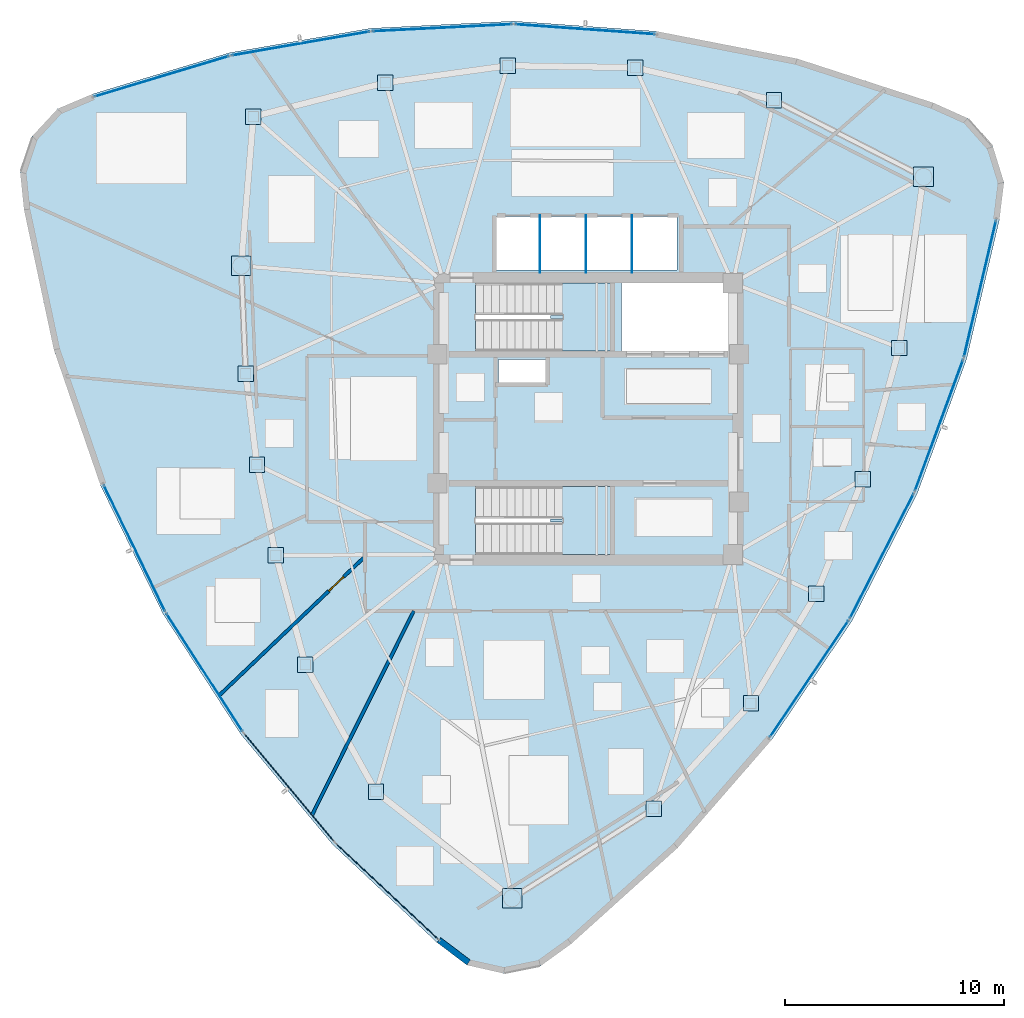
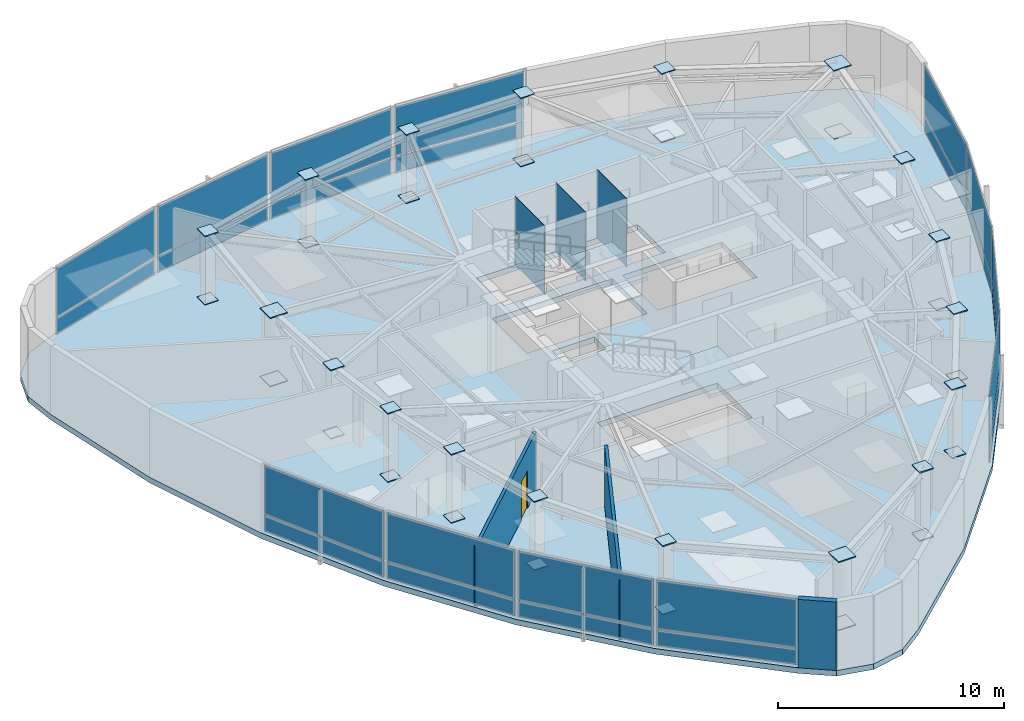
# One storey, part 7 of 12: 63 plates, 3 slabs, 3 walls, 1 door, 1 opening, 14 elements without a shape of their own.
"""IFC4 building model written with IfcOpenShell, lengths in metres."""

from ifc_helpers import new_model, si_unit, direction, frame, frame_2d, origin, origin_2d, place, context, subcontext, project, spatial, polyline, rectangle, outline, extrude, source, transform, mapped, material, layer, layer_set, type_object, type_shapes, element, fill, aggregate, save


model = new_model("IFC4")

# Units and contexts
model_context = context("Model", 3, precision=1e-05, world=origin(), true_north=direction((0.0, 1.0)))
body_context = subcontext(model_context, "Body", "Model", "MODEL_VIEW")
ifc_project = project(units=[si_unit("LENGTHUNIT", "METRE"), si_unit("AREAUNIT", "SQUARE_METRE"), si_unit("VOLUMEUNIT", "CUBIC_METRE"), si_unit("PLANEANGLEUNIT", "RADIAN"), si_unit("MASSUNIT", "GRAM", prefix="KILO")], contexts=[model_context])

# Site, building, storey
site_placement = place(None, origin())
site = spatial("IfcSite", under=ifc_project, at=site_placement, CompositionType="ELEMENT")
building_placement = place(site_placement, origin())
building = spatial("IfcBuilding", under=site, at=building_placement, Name="Tavelor Broadcast Tower", CompositionType="ELEMENT")
storey_placement = place(building_placement, frame((0.0, 0.0, 293.5)))
storey = spatial("IfcBuildingStorey", under=building, at=storey_placement, Name="L70", CompositionType="ELEMENT", Elevation=293.5)

# Stair, slab
ifc_material_1 = material(Name="Concrete C40/50", Category="concrete")
stair_type = type_object("IfcStairType", Name="Reinforced Concrete Protected Dogleg Stair 1450 mm", PredefinedType="HALF_TURN_STAIR", material=ifc_material_1)
stair_1_placement = place(storey_placement, origin())
stair_1 = element("IfcStair", 1, at=stair_1_placement, inside=storey, type_object=stair_type, Name="L70 Protected Core Exit Stair ST1", PredefinedType="HALF_TURN_STAIR")
ifc_layer_1 = layer(ifc_material_1, 0.199951171875)
ifc_layer_set_1 = layer_set([ifc_layer_1], Name="Concrete C40/50")
slab_type_1 = type_object("IfcSlabType", Name="Reinforced Concrete Stair Half-Landing Slab 200 mm", PredefinedType="LANDING", material=ifc_layer_set_1)
slab_1_placement = place(storey_placement, frame((0.0, 0.0, 1.800048828125)))
slab_1 = element("IfcSlab", 2, at=slab_1_placement, type_object=slab_type_1, Name="ST1 landing 1", PredefinedType="LANDING", context=body_context, shape_type="SweptSolid", body=[
    extrude(outline(polyline([(48.804931640625, 49.590087890625), (48.804931640625, 48.094970703125), (51.0048828125, 48.094970703125), (51.0048828125, 51.205078125), (48.804931640625, 51.205078125), (48.804931640625, 49.7099609375), (48.264892578125, 49.7099609375), (48.264892578125, 49.590087890625), (48.804931640625, 49.590087890625)])), origin(), (0.0, 0.0, 1.0), 0.199951171875),
])
aggregate(stair_1, [slab_1])

stair_2_placement = place(storey_placement, origin())
stair_2 = element("IfcStair", 3, at=stair_2_placement, inside=storey, type_object=stair_type, Name="L70 Protected Core Exit Stair ST2", PredefinedType="HALF_TURN_STAIR")
slab_2_placement = place(storey_placement, frame((0.0, 0.0, 1.800048828125)))
slab_2 = element("IfcSlab", 4, at=slab_2_placement, type_object=slab_type_1, Name="ST2 landing 1", PredefinedType="LANDING", context=body_context, shape_type="SweptSolid", body=[
    extrude(outline(polyline([(48.804931640625, 40.2900390625), (48.804931640625, 38.794921875), (51.0048828125, 38.794921875), (51.0048828125, 41.905029296875), (48.804931640625, 41.905029296875), (48.804931640625, 40.409912109375), (48.264892578125, 40.409912109375), (48.264892578125, 40.2900390625), (48.804931640625, 40.2900390625)])), origin(), (0.0, 0.0, 1.0), 0.199951171875),
])
aggregate(stair_2, [slab_2])

# Slab
ifc_layer_2 = layer(ifc_material_1, 0.300048828125)
ifc_layer_set_2 = layer_set([ifc_layer_2], Name="Concrete C40/50")
slab_type_2 = type_object("IfcSlabType", Name="Tower Composite Floor Slab 300 mm", PredefinedType="FLOOR", material=ifc_layer_set_2)
slab_3_placement = place(storey_placement, frame((0.0, 0.0, -0.300048828125)))
element("IfcSlab", 5, at=slab_3_placement, inside=storey, type_object=slab_type_2, Name="L70 Structural Floor Slab", PredefinedType="FLOOR", context=body_context, shape_type="SweptSolid", body=[
    extrude(outline(polyline([(27.3291015625, 59.840087890625), (25.744873046875, 59.169189453125), (24.5771484375, 57.906005859375), (24.03271484375, 56.274169921875), (24.2080078125, 54.562744140625), (25.572021484375, 48.158203125), (27.701171875, 41.966064453125), (30.56396484375, 36.076904296875), (34.118408203125, 30.577392578125), (38.31201171875, 25.548583984375), (43.08349609375, 21.06396484375), (44.45654296875, 20.027587890625), (46.134521484375, 19.647705078125), (47.820068359375, 19.9921875), (49.214599609375, 20.999755859375), (54.078857421875, 25.38330078125), (58.376953125, 30.3232421875), (62.0458984375, 35.7470703125), (65.03125, 41.574951171875), (67.28955078125, 47.721435546875), (68.787353515625, 54.095947265625), (68.99853515625, 55.80322265625), (68.48828125, 57.4462890625), (67.347412109375, 58.733642578125), (65.777587890625, 59.4375), (59.549072265625, 61.45849609375), (53.121826171875, 62.710693359375), (46.59033203125, 63.176025390625), (40.050537109375, 62.84765625), (33.598388671875, 61.730224609375), (27.3291015625, 59.840087890625)]), holes=[polyline([(50.99609375, 41.89599609375), (50.99609375, 38.803955078125), (44.85400390625, 38.803955078125), (44.85400390625, 41.89599609375), (50.99609375, 41.89599609375)]), polyline([(48.050048828125, 47.699951171875), (48.050048828125, 46.64990234375), (45.89990234375, 46.64990234375), (45.89990234375, 47.699951171875), (48.050048828125, 47.699951171875)]), polyline([(50.99609375, 51.196044921875), (50.99609375, 48.10400390625), (44.85400390625, 48.10400390625), (44.85400390625, 51.196044921875), (50.99609375, 51.196044921875)]), polyline([(56.60009765625, 48.10009765625), (51.52001953125, 48.10009765625), (51.52001953125, 51.199951171875), (56.60009765625, 51.199951171875), (56.60009765625, 48.10009765625)]), polyline([(54.050048828125, 51.800048828125), (45.800048828125, 51.800048828125), (45.800048828125, 54.25), (54.050048828125, 54.25), (54.050048828125, 51.800048828125)])]), origin(), (0.0, 0.0, 1.0), 0.300048828125),
])

# Plates
ifc_material_2 = material(Name="Steel S460", Category="steel")
ifc_layer_3 = layer(ifc_material_2, 0.050048828125)
ifc_layer_set_3 = layer_set([ifc_layer_3], Name="Steel S460")
plate_type_1 = type_object("IfcPlateType", Name="Tube Hollow-End Cap Plate KN05 700x700x50", PredefinedType="USERDEFINED", material=ifc_layer_set_3)
shared_shape_1 = source(origin(), body_context, "Body", "SweptSolid", [
    extrude(rectangle(XDim=0.699951171875, YDim=0.699951171875, at=origin_2d()), origin(), (0.0, 0.0, 1.0), 0.054931640625),
])
for number, where, z_axis, x_axis, name in (
    (6, (34.341552734375, 47.061279296875, -0.02734375), (0.0, 0.0, 1.0), (1.0, 0.0, 0.0), "L70 Hollow End Cap Plate KN05 #2103"),
    (7, (34.341552734375, 47.061279296875, 3.67236328125), (0.0, 0.0, 1.0), (1.0, 0.0, 0.0), "L70 Hollow End Cap Plate KN05 #2104"),
    (8, (34.85400390625, 42.90185546875, -0.02734375), (0.0, 0.0, 1.0), (1.0, 0.0, 0.0), "L70 Hollow End Cap Plate KN05 #2105"),
    (9, (34.85400390625, 42.90185546875, 3.67236328125), (0.0, 0.0, 1.0), (1.0, 0.0, 0.0), "L70 Hollow End Cap Plate KN05 #2106"),
    (10, (35.716552734375, 38.757080078125, -0.02734375), (0.0, 0.0, 1.0), (1.0, 0.0, 0.0), "L70 Hollow End Cap Plate KN05 #2107"),
    (11, (35.716552734375, 38.757080078125, 3.67236328125), (0.0, 0.0, 1.0), (1.0, 0.0, 0.0), "L70 Hollow End Cap Plate KN05 #2108"),
    (12, (37.068115234375, 33.759521484375, -0.02734375), (0.0, 0.0, 1.0), (1.0, 0.0, 0.0), "L70 Hollow End Cap Plate KN05 #2109"),
    (13, (37.068115234375, 33.759521484375, 3.67236328125), (0.0, 0.0, 1.0), (1.0, 0.0, 0.0), "L70 Hollow End Cap Plate KN05 #2110"),
    (14, (40.29638671875, 27.95361328125, -0.02734375), (0.0, 0.0, 1.0), (1.0, 0.0, 0.0), "L70 Hollow End Cap Plate KN05 #2111"),
    (15, (40.29638671875, 27.95361328125, 3.67236328125), (0.0, 0.0, 1.0), (1.0, 0.0, 0.0), "L70 Hollow End Cap Plate KN05 #2112"),
    (16, (52.992919921875, 27.1767578125, -0.02734375), (0.0, 0.0, 1.0), (1.0, 0.0, 0.0), "L70 Hollow End Cap Plate KN05 #2115"),
    (17, (52.992919921875, 27.1767578125, 3.67236328125), (0.0, 0.0, 1.0), (1.0, 0.0, 0.0), "L70 Hollow End Cap Plate KN05 #2116"),
    (18, (57.431396484375, 31.9921875, -0.02734375), (0.0, 0.0, 1.0), (1.0, 0.0, 0.0), "L70 Hollow End Cap Plate KN05 #2117"),
    (19, (57.431396484375, 31.9921875, 3.67236328125), (0.0, 0.0, 1.0), (1.0, 0.0, 0.0), "L70 Hollow End Cap Plate KN05 #2118"),
    (20, (60.41748046875, 37.00439453125, -0.02734375), (0.0, 0.0, 1.0), (1.0, 0.0, 0.0), "L70 Hollow End Cap Plate KN05 #2119"),
    (21, (60.41748046875, 37.00439453125, 3.67236328125), (0.0, 0.0, 1.0), (1.0, 0.0, 0.0), "L70 Hollow End Cap Plate KN05 #2120"),
    (22, (62.543701171875, 42.240478515625, -0.02734375), (0.0, 0.0, 1.0), (1.0, 0.0, 0.0), "L70 Hollow End Cap Plate KN05 #2121"),
    (23, (62.543701171875, 42.240478515625, 3.67236328125), (0.0, 0.0, 1.0), (1.0, 0.0, 0.0), "L70 Hollow End Cap Plate KN05 #2122"),
    (24, (64.21435546875, 48.2373046875, -0.02734375), (0.0, 0.0, 1.0), (1.0, 0.0, 0.0), "L70 Hollow End Cap Plate KN05 #2123"),
    (25, (64.21435546875, 48.2373046875, 3.67236328125), (0.0, 0.0, 1.0), (1.0, 0.0, 0.0), "L70 Hollow End Cap Plate KN05 #2124"),
    (26, (58.485595703125, 59.55712890625, -0.02734375), (0.0, 0.0, 1.0), (1.0, 0.0, 0.0), "L70 Hollow End Cap Plate KN05 #2127"),
    (27, (58.485595703125, 59.55712890625, 3.67236328125), (0.0, 0.0, 1.0), (1.0, 0.0, 0.0), "L70 Hollow End Cap Plate KN05 #2128"),
    (28, (52.147216796875, 61.05078125, -0.02734375), (0.0, 0.0, 1.0), (1.0, 0.0, 0.0), "L70 Hollow End Cap Plate KN05 #2129"),
    (29, (52.147216796875, 61.05078125, 3.67236328125), (0.0, 0.0, 1.0), (1.0, 0.0, 0.0), "L70 Hollow End Cap Plate KN05 #2130"),
    (30, (46.3154296875, 61.13720703125, -0.02734375), (0.0, 0.0, 1.0), (1.0, 0.0, 0.0), "L70 Hollow End Cap Plate KN05 #2131"),
    (31, (46.3154296875, 61.13720703125, 3.67236328125), (0.0, 0.0, 1.0), (1.0, 0.0, 0.0), "L70 Hollow End Cap Plate KN05 #2132"),
    (32, (40.718017578125, 60.36083984375, -0.02734375), (0.0, 0.0, 1.0), (1.0, 0.0, 0.0), "L70 Hollow End Cap Plate KN05 #2133"),
    (33, (40.718017578125, 60.36083984375, 3.67236328125), (0.0, 0.0, 1.0), (1.0, 0.0, 0.0), "L70 Hollow End Cap Plate KN05 #2134"),
    (34, (34.689208984375, 58.80908203125, -0.02734375), (0.0, 0.0, 1.0), (1.0, 0.0, 0.0), "L70 Hollow End Cap Plate KN05 #2135"),
    (35, (34.689208984375, 58.80908203125, 3.67236328125), (0.0, 0.0, 1.0), (1.0, 0.0, 0.0), "L70 Hollow End Cap Plate KN05 #2136"),
):
    element("IfcPlate", number, at=place(storey_placement, frame(where, z_axis=z_axis, x_axis=x_axis)), inside=storey, type_object=plate_type_1, Name=name, ObjectType="CAP PLATE", PredefinedType="USERDEFINED", context=body_context, shape_type="MappedRepresentation", body=[
        mapped(shared_shape_1, transform((0.0, 0.0, 0.0), scale=1.0)),
    ])
shared_shape_2 = source(origin(), body_context, "Body", "SweptSolid", [
    extrude(rectangle(XDim=0.89306640625, YDim=0.89306640625, at=origin_2d()), origin(), (0.0, 0.0, 1.0), 0.054931640625),
])
type_shapes(plate_type_1, [shared_shape_1, shared_shape_2])
for number, where, z_axis, x_axis, name in (
    (36, (34.134765625, 51.995849609375, -0.02734375), (0.0, 0.0, 1.0), (1.0, 0.0, 0.0), "L70 Hollow End Cap Plate KN05 #2101"),
    (37, (34.134765625, 51.995849609375, 3.67236328125), (0.0, 0.0, 1.0), (1.0, 0.0, 0.0), "L70 Hollow End Cap Plate KN05 #2102"),
    (38, (46.5146484375, 23.08740234375, -0.02734375), (0.0, 0.0, 1.0), (1.0, 0.0, 0.0), "L70 Hollow End Cap Plate KN05 #2113"),
    (39, (46.5146484375, 23.08740234375, 3.67236328125), (0.0, 0.0, 1.0), (1.0, 0.0, 0.0), "L70 Hollow End Cap Plate KN05 #2114"),
    (40, (65.319580078125, 56.0556640625, -0.02734375), (0.0, 0.0, 1.0), (1.0, 0.0, 0.0), "L70 Hollow End Cap Plate KN05 #2125"),
    (41, (65.319580078125, 56.0556640625, 3.67236328125), (0.0, 0.0, 1.0), (1.0, 0.0, 0.0), "L70 Hollow End Cap Plate KN05 #2126"),
):
    element("IfcPlate", number, at=place(storey_placement, frame(where, z_axis=z_axis, x_axis=x_axis)), inside=storey, type_object=plate_type_1, Name=name, ObjectType="CAP PLATE", PredefinedType="USERDEFINED", context=body_context, shape_type="MappedRepresentation", body=[
        mapped(shared_shape_2, transform((0.0, 0.0, 0.0), scale=1.0)),
    ])
ifc_material_3 = material(Name="Steel S355", Category="steel")
ifc_layer_4 = layer(ifc_material_3, 0.011962890625)
ifc_layer_set_4 = layer_set([ifc_layer_4], Name="Steel S355")
plate_type_2 = type_object("IfcPlateType", Name="Hoistway Steel Separator Screen 12 mm", PredefinedType="SHEET", material=ifc_layer_set_4)
shared_shape_3 = source(origin(), body_context, "Body", "SweptSolid", [
    extrude(rectangle(XDim=0.02001953125, YDim=2.6201171875, at=origin_2d()), origin(), (0.0, 0.0, 1.0), 3.699951171875),
])
type_shapes(plate_type_2, [shared_shape_3])
for number, where, z_axis, x_axis, name in (
    (42, (47.800048828125, 52.989990234375, 0.0), (0.0, 0.0, 1.0), (1.0, 0.0, 0.0), "L70 High-Rise Hoistway Separator Screen 1"),
    (43, (49.89990234375, 52.989990234375, 0.0), (0.0, 0.0, 1.0), (1.0, 0.0, 0.0), "L70 High-Rise Hoistway Separator Screen 2"),
    (44, (52.0, 52.989990234375, 0.0), (0.0, 0.0, 1.0), (1.0, 0.0, 0.0), "L70 High-Rise Hoistway Separator Screen 3"),
):
    element("IfcPlate", number, at=place(storey_placement, frame(where, z_axis=z_axis, x_axis=x_axis)), inside=storey, type_object=plate_type_2, Name=name, PredefinedType="SHEET", context=body_context, shape_type="MappedRepresentation", body=[
        mapped(shared_shape_3, transform((0.0, 0.0, 0.0), scale=1.0)),
    ])

# Curtain wall, plate
ifc_material_4 = material(Name="Architectural Anodized Aluminium", Category="aluminium")
ifc_layer_5 = layer(ifc_material_4, 0.199951171875)
ifc_layer_set_5 = layer_set([ifc_layer_5], Name="Architectural Anodized Aluminium")
curtain_wall_type = type_object("IfcCurtainWallType", Name="Tower High-Zone Triple-Glazed Curtain Wall CW04", PredefinedType="NOTDEFINED", material=ifc_layer_set_5)
curtain_wall_1_placement = place(storey_placement, origin())
curtain_wall_1 = element("IfcCurtainWall", 45, at=curtain_wall_1_placement, inside=storey, type_object=curtain_wall_type, Name="L70 Curtain Wall CW04 Run 769", PredefinedType="NOTDEFINED")
ifc_material_5 = material(Name="High-Altitude Triple Glazing 36 mm", Category="glass")
ifc_layer_6 = layer(ifc_material_5, 0.035888671875)
ifc_layer_set_6 = layer_set([ifc_layer_6], Name="High-Altitude Triple Glazing 36 mm")
plate_type_3 = type_object("IfcPlateType", Name="CW04 Insulated Vision Glazing Panel 36 mm", PredefinedType="CURTAIN_PANEL", material=ifc_layer_set_6)
shared_shape_4 = source(origin(), body_context, "Body", "SweptSolid", [
    extrude(rectangle(XDim=6.376220703125, YDim=0.035888671875, at=origin_2d()), origin(), (0.0, 0.0, 1.0), 0.844970703125),
])
plate_1_placement = place(storey_placement, frame((29.255126953125, 39.08935546875, 0.06982421875), z_axis=(0.0, 0.0, 1.0), x_axis=(0.437185983119, -0.899371122599, 0.0)))
plate_1 = element("IfcPlate", 46, at=plate_1_placement, type_object=plate_type_3, Name="CW04 panel 1.1", PredefinedType="CURTAIN_PANEL", context=body_context, shape_type="MappedRepresentation", body=[
    mapped(shared_shape_4, transform((0.0, 0.0, 0.0), scale=1.0)),
])

curtain_wall_2_placement = place(storey_placement, origin())
curtain_wall_2 = element("IfcCurtainWall", 47, at=curtain_wall_2_placement, inside=storey, type_object=curtain_wall_type, Name="L70 Curtain Wall CW04 Run 773", PredefinedType="NOTDEFINED")
plate_2_placement = place(storey_placement, frame((60.09130859375, 33.107421875, 0.06982421875), z_axis=(0.0, 0.0, 1.0), x_axis=(0.56028676209, 0.828298704712, 0.0)))
plate_2 = element("IfcPlate", 48, at=plate_2_placement, type_object=plate_type_3, Name="CW04 panel 1.1", PredefinedType="CURTAIN_PANEL", context=body_context, shape_type="MappedRepresentation", body=[
    mapped(shared_shape_4, transform((0.0, 0.0, 0.0), scale=1.0)),
])

curtain_wall_3_placement = place(storey_placement, origin())
curtain_wall_3 = element("IfcCurtainWall", 49, at=curtain_wall_3_placement, inside=storey, type_object=curtain_wall_type, Name="L70 Curtain Wall CW04 Run 777", PredefinedType="NOTDEFINED")
plate_3_placement = place(storey_placement, frame((49.853759765625, 62.80322265625, 0.06982421875), z_axis=(0.0, 0.0, 1.0), x_axis=(-0.997471381791, 0.071069279641, 0.0)))
plate_3 = element("IfcPlate", 50, at=plate_3_placement, type_object=plate_type_3, Name="CW04 panel 1.1", PredefinedType="CURTAIN_PANEL", context=body_context, shape_type="MappedRepresentation", body=[
    mapped(shared_shape_4, transform((0.0, 0.0, 0.0), scale=1.0)),
])

# Plate
shared_shape_5 = source(origin(), body_context, "Body", "SweptSolid", [
    extrude(rectangle(XDim=6.376220703125, YDim=0.035888671875, at=origin_2d()), origin(), (0.0, 0.0, 1.0), 2.64501953125),
])
plate_4_placement = place(storey_placement, frame((29.255126953125, 39.08935546875, 0.985107421875), z_axis=(0.0, 0.0, 1.0), x_axis=(0.437185983119, -0.899371122599, 0.0)))
plate_4 = element("IfcPlate", 51, at=plate_4_placement, type_object=plate_type_3, Name="CW04 panel 1.2", PredefinedType="CURTAIN_PANEL", context=body_context, shape_type="MappedRepresentation", body=[
    mapped(shared_shape_5, transform((0.0, 0.0, 0.0), scale=1.0)),
])

aggregate(curtain_wall_1, [plate_1, plate_4])

plate_5_placement = place(storey_placement, frame((60.09130859375, 33.107421875, 0.985107421875), z_axis=(0.0, 0.0, 1.0), x_axis=(0.56028676209, 0.828298704712, 0.0)))
plate_5 = element("IfcPlate", 52, at=plate_5_placement, type_object=plate_type_3, Name="CW04 panel 1.2", PredefinedType="CURTAIN_PANEL", context=body_context, shape_type="MappedRepresentation", body=[
    mapped(shared_shape_5, transform((0.0, 0.0, 0.0), scale=1.0)),
])

aggregate(curtain_wall_2, [plate_2, plate_5])

plate_6_placement = place(storey_placement, frame((49.853759765625, 62.80322265625, 0.985107421875), z_axis=(0.0, 0.0, 1.0), x_axis=(-0.997471381791, 0.071069279641, 0.0)))
plate_6 = element("IfcPlate", 53, at=plate_6_placement, type_object=plate_type_3, Name="CW04 panel 1.2", PredefinedType="CURTAIN_PANEL", context=body_context, shape_type="MappedRepresentation", body=[
    mapped(shared_shape_5, transform((0.0, 0.0, 0.0), scale=1.0)),
])

aggregate(curtain_wall_3, [plate_3, plate_6])

# Curtain wall, plate
curtain_wall_4_placement = place(storey_placement, origin())
curtain_wall_4 = element("IfcCurtainWall", 54, at=curtain_wall_4_placement, inside=storey, type_object=curtain_wall_type, Name="L70 Curtain Wall CW04 Run 770", PredefinedType="NOTDEFINED")
shared_shape_6 = source(origin(), body_context, "Body", "SweptSolid", [
    extrude(rectangle(XDim=6.361083984375, YDim=0.035888671875, at=origin_2d()), origin(), (0.0, 0.0, 1.0), 0.844970703125),
])
plate_7_placement = place(storey_placement, frame((32.458740234375, 33.403076171875, 0.06982421875), z_axis=(0.0, 0.0, 1.0), x_axis=(0.542813044185, -0.839853558106, 0.0)))
plate_7 = element("IfcPlate", 55, at=plate_7_placement, type_object=plate_type_3, Name="CW04 panel 1.1", PredefinedType="CURTAIN_PANEL", context=body_context, shape_type="MappedRepresentation", body=[
    mapped(shared_shape_6, transform((0.0, 0.0, 0.0), scale=1.0)),
])

curtain_wall_5_placement = place(storey_placement, origin())
curtain_wall_5 = element("IfcCurtainWall", 56, at=curtain_wall_5_placement, inside=storey, type_object=curtain_wall_type, Name="L70 Curtain Wall CW04 Run 771", PredefinedType="NOTDEFINED")
plate_8_placement = place(storey_placement, frame((36.32275390625, 28.152587890625, 0.06982421875), z_axis=(0.0, 0.0, 1.0), x_axis=(0.640450648692, -0.767999327207, 0.0)))
plate_8 = element("IfcPlate", 57, at=plate_8_placement, type_object=plate_type_3, Name="CW04 panel 1.1", PredefinedType="CURTAIN_PANEL", context=body_context, shape_type="MappedRepresentation", body=[
    mapped(shared_shape_6, transform((0.0, 0.0, 0.0), scale=1.0)),
])

curtain_wall_6_placement = place(storey_placement, origin())
curtain_wall_6 = element("IfcCurtainWall", 58, at=curtain_wall_6_placement, inside=storey, type_object=curtain_wall_type, Name="L70 Curtain Wall CW04 Run 774", PredefinedType="NOTDEFINED")
plate_9_placement = place(storey_placement, frame((63.413818359375, 38.724853515625, 0.06982421875), z_axis=(0.0, 0.0, 1.0), x_axis=(0.455923124298, 0.890019159755, 0.0)))
plate_9 = element("IfcPlate", 59, at=plate_9_placement, type_object=plate_type_3, Name="CW04 panel 1.1", PredefinedType="CURTAIN_PANEL", context=body_context, shape_type="MappedRepresentation", body=[
    mapped(shared_shape_6, transform((0.0, 0.0, 0.0), scale=1.0)),
])

curtain_wall_7_placement = place(storey_placement, origin())
curtain_wall_7 = element("IfcCurtainWall", 60, at=curtain_wall_7_placement, inside=storey, type_object=curtain_wall_type, Name="L70 Curtain Wall CW04 Run 775", PredefinedType="NOTDEFINED")
plate_10_placement = place(storey_placement, frame((66.029052734375, 44.696533203125, 0.06982421875), z_axis=(0.0, 0.0, 1.0), x_axis=(0.34487692915, 0.938647912553, 0.0)))
plate_10 = element("IfcPlate", 61, at=plate_10_placement, type_object=plate_type_3, Name="CW04 panel 1.1", PredefinedType="CURTAIN_PANEL", context=body_context, shape_type="MappedRepresentation", body=[
    mapped(shared_shape_6, transform((0.0, 0.0, 0.0), scale=1.0)),
])

curtain_wall_8_placement = place(storey_placement, origin())
curtain_wall_8 = element("IfcCurtainWall", 62, at=curtain_wall_8_placement, inside=storey, type_object=curtain_wall_type, Name="L70 Curtain Wall CW04 Run 778", PredefinedType="NOTDEFINED")
plate_11_placement = place(storey_placement, frame((43.327392578125, 62.8720703125, 0.06982421875), z_axis=(0.0, 0.0, 1.0), x_axis=(-0.998741151391, -0.050160866409, 0.0)))
plate_11 = element("IfcPlate", 63, at=plate_11_placement, type_object=plate_type_3, Name="CW04 panel 1.1", PredefinedType="CURTAIN_PANEL", context=body_context, shape_type="MappedRepresentation", body=[
    mapped(shared_shape_6, transform((0.0, 0.0, 0.0), scale=1.0)),
])

curtain_wall_9_placement = place(storey_placement, origin())
curtain_wall_9 = element("IfcCurtainWall", 64, at=curtain_wall_9_placement, inside=storey, type_object=curtain_wall_type, Name="L70 Curtain Wall CW04 Run 779", PredefinedType="NOTDEFINED")
plate_12_placement = place(storey_placement, frame((36.848388671875, 62.15087890625, 0.06982421875), z_axis=(0.0, 0.0, 1.0), x_axis=(-0.985334445505, -0.170634200855, 0.0)))
plate_12 = element("IfcPlate", 65, at=plate_12_placement, type_object=plate_type_3, Name="CW04 panel 1.1", PredefinedType="CURTAIN_PANEL", context=body_context, shape_type="MappedRepresentation", body=[
    mapped(shared_shape_6, transform((0.0, 0.0, 0.0), scale=1.0)),
])

# Plate
shared_shape_7 = source(origin(), body_context, "Body", "SweptSolid", [
    extrude(rectangle(XDim=6.361083984375, YDim=0.035888671875, at=origin_2d()), origin(), (0.0, 0.0, 1.0), 2.64501953125),
])
plate_13_placement = place(storey_placement, frame((32.458740234375, 33.403076171875, 0.985107421875), z_axis=(0.0, 0.0, 1.0), x_axis=(0.542813044185, -0.839853558106, 0.0)))
plate_13 = element("IfcPlate", 66, at=plate_13_placement, type_object=plate_type_3, Name="CW04 panel 1.2", PredefinedType="CURTAIN_PANEL", context=body_context, shape_type="MappedRepresentation", body=[
    mapped(shared_shape_7, transform((0.0, 0.0, 0.0), scale=1.0)),
])

aggregate(curtain_wall_4, [plate_7, plate_13])

plate_14_placement = place(storey_placement, frame((36.32275390625, 28.152587890625, 0.985107421875), z_axis=(0.0, 0.0, 1.0), x_axis=(0.640450648692, -0.767999327207, 0.0)))
plate_14 = element("IfcPlate", 67, at=plate_14_placement, type_object=plate_type_3, Name="CW04 panel 1.2", PredefinedType="CURTAIN_PANEL", context=body_context, shape_type="MappedRepresentation", body=[
    mapped(shared_shape_7, transform((0.0, 0.0, 0.0), scale=1.0)),
])

aggregate(curtain_wall_5, [plate_8, plate_14])

plate_15_placement = place(storey_placement, frame((63.413818359375, 38.724853515625, 0.985107421875), z_axis=(0.0, 0.0, 1.0), x_axis=(0.455923124298, 0.890019159755, 0.0)))
plate_15 = element("IfcPlate", 68, at=plate_15_placement, type_object=plate_type_3, Name="CW04 panel 1.2", PredefinedType="CURTAIN_PANEL", context=body_context, shape_type="MappedRepresentation", body=[
    mapped(shared_shape_7, transform((0.0, 0.0, 0.0), scale=1.0)),
])

aggregate(curtain_wall_6, [plate_9, plate_15])

plate_16_placement = place(storey_placement, frame((66.029052734375, 44.696533203125, 0.985107421875), z_axis=(0.0, 0.0, 1.0), x_axis=(0.34487692915, 0.938647912553, 0.0)))
plate_16 = element("IfcPlate", 69, at=plate_16_placement, type_object=plate_type_3, Name="CW04 panel 1.2", PredefinedType="CURTAIN_PANEL", context=body_context, shape_type="MappedRepresentation", body=[
    mapped(shared_shape_7, transform((0.0, 0.0, 0.0), scale=1.0)),
])

aggregate(curtain_wall_7, [plate_10, plate_16])

plate_17_placement = place(storey_placement, frame((43.327392578125, 62.8720703125, 0.985107421875), z_axis=(0.0, 0.0, 1.0), x_axis=(-0.998741151391, -0.050160866409, 0.0)))
plate_17 = element("IfcPlate", 70, at=plate_17_placement, type_object=plate_type_3, Name="CW04 panel 1.2", PredefinedType="CURTAIN_PANEL", context=body_context, shape_type="MappedRepresentation", body=[
    mapped(shared_shape_7, transform((0.0, 0.0, 0.0), scale=1.0)),
])

aggregate(curtain_wall_8, [plate_11, plate_17])

plate_18_placement = place(storey_placement, frame((36.848388671875, 62.15087890625, 0.985107421875), z_axis=(0.0, 0.0, 1.0), x_axis=(-0.985334445505, -0.170634200855, 0.0)))
plate_18 = element("IfcPlate", 71, at=plate_18_placement, type_object=plate_type_3, Name="CW04 panel 1.2", PredefinedType="CURTAIN_PANEL", context=body_context, shape_type="MappedRepresentation", body=[
    mapped(shared_shape_7, transform((0.0, 0.0, 0.0), scale=1.0)),
])

aggregate(curtain_wall_9, [plate_12, plate_18])

# Curtain wall, plates
curtain_wall_10_placement = place(storey_placement, origin())
curtain_wall_10 = element("IfcCurtainWall", 72, at=curtain_wall_10_placement, inside=storey, type_object=curtain_wall_type, Name="L70 Curtain Wall CW04 Run 772", PredefinedType="NOTDEFINED")
shared_shape_8 = source(origin(), body_context, "Body", "SweptSolid", [
    extrude(rectangle(XDim=6.376953125, YDim=0.035888671875, at=origin_2d()), origin(), (0.0, 0.0, 1.0), 0.844970703125),
])
plate_19_placement = place(storey_placement, frame((40.799560546875, 23.40283203125, 0.06982421875), z_axis=(0.0, 0.0, 1.0), x_axis=(0.728686322645, -0.684847605814, 0.0)))
plate_19 = element("IfcPlate", 73, at=plate_19_placement, type_object=plate_type_3, Name="CW04 panel 1.1", PredefinedType="CURTAIN_PANEL", context=body_context, shape_type="MappedRepresentation", body=[
    mapped(shared_shape_8, transform((0.0, 0.0, 0.0), scale=1.0)),
])
shared_shape_9 = source(origin(), body_context, "Body", "SweptSolid", [
    extrude(rectangle(XDim=6.376953125, YDim=0.035888671875, at=origin_2d()), origin(), (0.0, 0.0, 1.0), 2.64501953125),
])
plate_20_placement = place(storey_placement, frame((40.799560546875, 23.40283203125, 0.985107421875), z_axis=(0.0, 0.0, 1.0), x_axis=(0.728686322645, -0.684847605814, 0.0)))
plate_20 = element("IfcPlate", 74, at=plate_20_placement, type_object=plate_type_3, Name="CW04 panel 1.2", PredefinedType="CURTAIN_PANEL", context=body_context, shape_type="MappedRepresentation", body=[
    mapped(shared_shape_9, transform((0.0, 0.0, 0.0), scale=1.0)),
])
aggregate(curtain_wall_10, [plate_19, plate_20])

# Curtain wall, plate
curtain_wall_11_placement = place(storey_placement, origin())
curtain_wall_11 = element("IfcCurtainWall", 75, at=curtain_wall_11_placement, inside=storey, type_object=curtain_wall_type, Name="L70 Curtain Wall CW04 Run 776", PredefinedType="NOTDEFINED")
shared_shape_10 = source(origin(), body_context, "Body", "SweptSolid", [
    extrude(rectangle(XDim=6.377197265625, YDim=0.035888671875, at=origin_2d()), origin(), (0.0, 0.0, 1.0), 0.844970703125),
])
plate_21_placement = place(storey_placement, frame((67.904052734375, 50.948486328125, 0.06982421875), z_axis=(0.0, 0.0, 1.0), x_axis=(0.228751958802, 0.973484741198, 0.0)))
plate_21 = element("IfcPlate", 76, at=plate_21_placement, type_object=plate_type_3, Name="CW04 panel 1.1", PredefinedType="CURTAIN_PANEL", context=body_context, shape_type="MappedRepresentation", body=[
    mapped(shared_shape_10, transform((0.0, 0.0, 0.0), scale=1.0)),
])

curtain_wall_12_placement = place(storey_placement, origin())
curtain_wall_12 = element("IfcCurtainWall", 77, at=curtain_wall_12_placement, inside=storey, type_object=curtain_wall_type, Name="L70 Curtain Wall CW04 Run 780", PredefinedType="NOTDEFINED")
plate_22_placement = place(storey_placement, frame((30.49658203125, 60.648681640625, 0.06982421875), z_axis=(0.0, 0.0, 1.0), x_axis=(-0.957434337603, -0.288651154821, 0.0)))
plate_22 = element("IfcPlate", 78, at=plate_22_placement, type_object=plate_type_3, Name="CW04 panel 1.1", PredefinedType="CURTAIN_PANEL", context=body_context, shape_type="MappedRepresentation", body=[
    mapped(shared_shape_10, transform((0.0, 0.0, 0.0), scale=1.0)),
])

# Plate
shared_shape_11 = source(origin(), body_context, "Body", "SweptSolid", [
    extrude(rectangle(XDim=6.377197265625, YDim=0.035888671875, at=origin_2d()), origin(), (0.0, 0.0, 1.0), 2.64501953125),
])
type_shapes(plate_type_3, [shared_shape_4, shared_shape_5, shared_shape_6, shared_shape_7, shared_shape_8, shared_shape_9, shared_shape_10, shared_shape_11])
plate_23_placement = place(storey_placement, frame((67.904052734375, 50.948486328125, 0.985107421875), z_axis=(0.0, 0.0, 1.0), x_axis=(0.228751958802, 0.973484741198, 0.0)))
plate_23 = element("IfcPlate", 79, at=plate_23_placement, type_object=plate_type_3, Name="CW04 panel 1.2", PredefinedType="CURTAIN_PANEL", context=body_context, shape_type="MappedRepresentation", body=[
    mapped(shared_shape_11, transform((0.0, 0.0, 0.0), scale=1.0)),
])

aggregate(curtain_wall_11, [plate_21, plate_23])

plate_24_placement = place(storey_placement, frame((30.49658203125, 60.648681640625, 0.985107421875), z_axis=(0.0, 0.0, 1.0), x_axis=(-0.957434337603, -0.288651154821, 0.0)))
plate_24 = element("IfcPlate", 80, at=plate_24_placement, type_object=plate_type_3, Name="CW04 panel 1.2", PredefinedType="CURTAIN_PANEL", context=body_context, shape_type="MappedRepresentation", body=[
    mapped(shared_shape_11, transform((0.0, 0.0, 0.0), scale=1.0)),
])

aggregate(curtain_wall_12, [plate_22, plate_24])

# Wall
ifc_material_6 = material(Name="Precast Concrete C40/50", Category="concrete")
ifc_layer_7 = layer(ifc_material_6, 0.280029296875)
ifc_layer_set_7 = layer_set([ifc_layer_7], Name="Precast Concrete C40/50")
wall_type_1 = type_object("IfcWallType", Name="Insulated Precast Terracotta Facade Wall 280 mm", PredefinedType="STANDARD", material=ifc_layer_set_7)
wall_1_placement = place(storey_placement, frame((43.170654296875, 21.173583984375, 0.0), z_axis=(0.0, 0.0, 1.0), x_axis=(0.798154004157, -0.60245347177, 0.0)))
element("IfcWall", 81, at=wall_1_placement, inside=storey, type_object=wall_type_1, Name="L70 Rounded Corner Structural Cladding Pier 11", PredefinedType="STANDARD", context=body_context, shape_type="SweptSolid", body=[
    extrude(rectangle(XDim=1.70166015625, YDim=0.280029296875, at=frame_2d((0.850830078125, 0.0))), origin(), (0.0, 0.0, 1.0), 3.699951171875),
])

# Wall, opening, door
ifc_material_7 = material(Name="Gypsum Acoustic Plasterboard 150 mm", Category="gypsum")
ifc_layer_8 = layer(ifc_material_7, 0.14990234375)
ifc_layer_set_8 = layer_set([ifc_layer_8], Name="Gypsum Acoustic Plasterboard 150 mm")
wall_type_2 = type_object("IfcWallType", Name="Interior Acoustic Partition Wall 150 mm", PredefinedType="PARTITIONING", material=ifc_layer_set_8)
wall_2_placement = place(storey_placement, frame((39.800048828125, 38.711669921875, 0.0), z_axis=(0.0, 0.0, 1.0), x_axis=(-0.723994950829, -0.689805270475, 0.0)))
wall_2 = element("IfcWall", 82, at=wall_2_placement, inside=storey, type_object=wall_type_2, Name="L70 Radial Compartment Wall 03", PredefinedType="PARTITIONING", context=body_context, shape_type="SweptSolid", body=[
    extrude(rectangle(XDim=9.21875, YDim=0.14990234375, at=frame_2d((4.609375, 0.0))), origin(), (0.0, 0.0, 1.0), 3.235107421875),
])
opening_placement = place(wall_2_placement, frame((1.35009765625, 0.0, 0.0)))
opening = element("IfcOpeningElement", 83, at=opening_placement, cuts=wall_2, Name="Opening DR18", PredefinedType="OPENING", context=body_context, shape_type="SweptSolid", body=[
    extrude(rectangle(XDim=0.949951171875, YDim=2.050048828125, at=frame_2d((0.47509765625, 1.02490234375))), frame((0.0, 0.0849609375, 0.0), z_axis=(0.0, -1.0, 0.0), x_axis=(1.0, 0.0, 0.0)), (0.0, 0.0, 1.0), 0.169921875),
])
ifc_material_8 = material(Name="Timber Solid Core Hardwood", Category="wood")
door_type = type_object("IfcDoorType", Name="Corridor Rated Compartment Door 950x2050", OperationType="NOTDEFINED", PredefinedType="DOOR", material=ifc_material_8)
door_placement = place(opening_placement, origin())
door = element("IfcDoor", 84, at=door_placement, inside=storey, type_object=door_type, Name="L70 Suite Connecting Door 5", OperationType="SINGLE_SWING_LEFT", OverallHeight=2.050048828125, OverallWidth=0.949951171875, PredefinedType="DOOR", context=body_context, shape_type="SweptSolid", body=[
    extrude(rectangle(XDim=0.949951171875, YDim=2.050048828125, at=frame_2d((0.47509765625, 1.02490234375))), frame((0.0, 0.02490234375, 0.0), z_axis=(0.0, -1.0, 0.0), x_axis=(1.0, 0.0, 0.0)), (0.0, 0.0, 1.0), 0.050048828125),
])
fill(opening, door)

# Wall
wall_3_placement = place(storey_placement, frame((42.023193359375, 36.219970703125, 0.0), z_axis=(0.0, 0.0, 1.0), x_axis=(-0.446127490189, -0.894969419867, 0.0)))
element("IfcWall", 85, at=wall_3_placement, inside=storey, type_object=wall_type_2, Name="L70 Radial Compartment Wall 04", PredefinedType="PARTITIONING", context=body_context, shape_type="SweptSolid", body=[
    extrude(rectangle(XDim=10.43310546875, YDim=0.14990234375, at=frame_2d((5.216552734375, 0.0))), origin(), (0.0, 0.0, 1.0), 3.235107421875),
])

save(model, "model.ifc")
